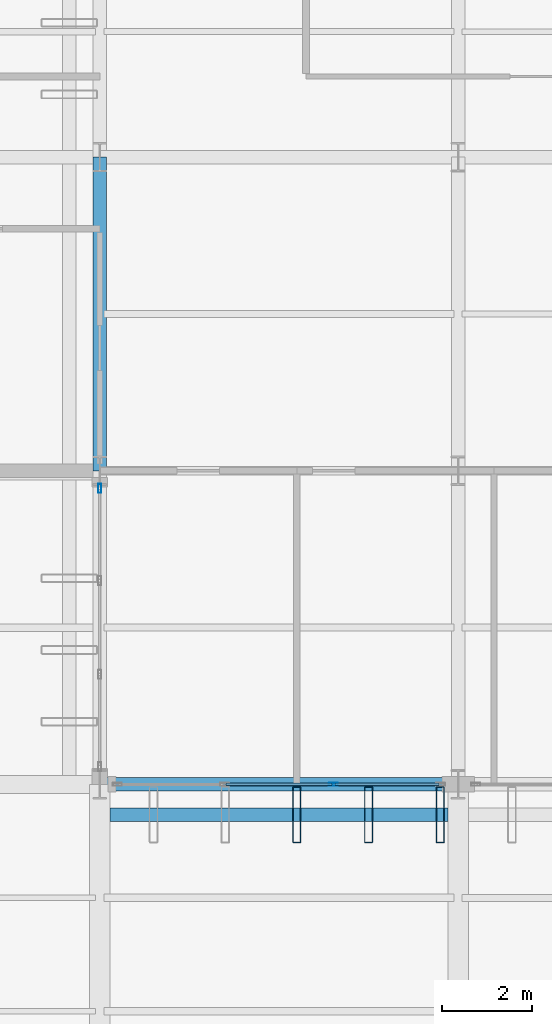
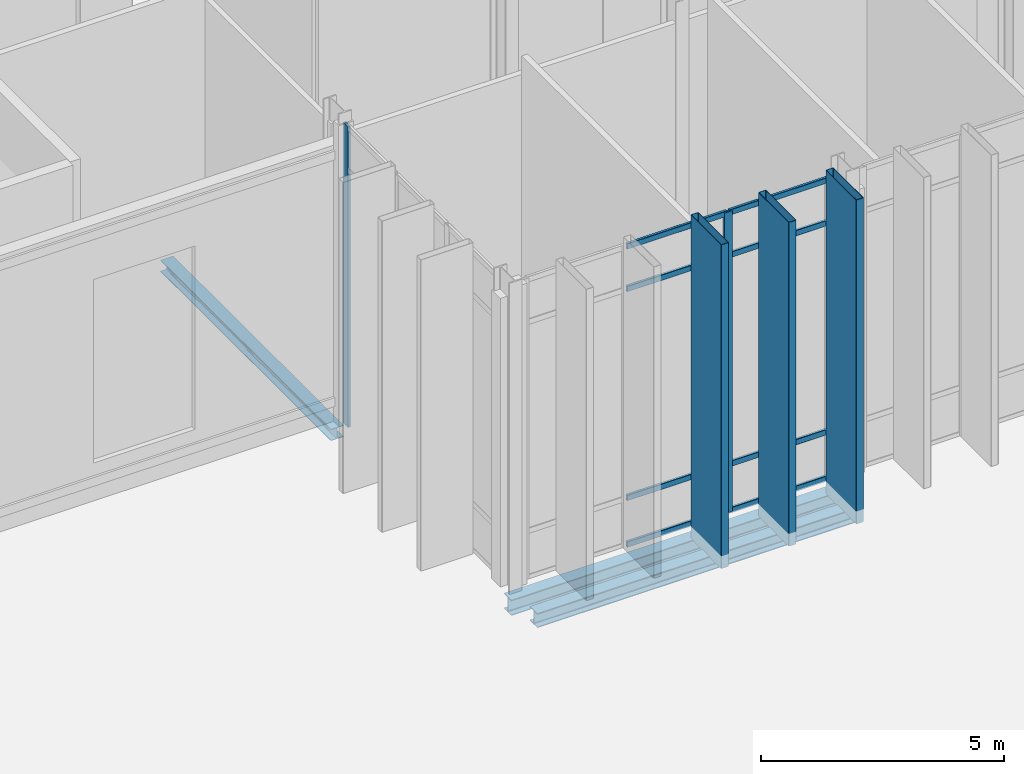
# One storey, part 41 of 176: 13 members, 3 beams, 2 elements without a shape of their own.
"""IFC4 building model written with IfcOpenShell, lengths in metres."""

from ifc_helpers import new_model, si_unit, direction, frame, origin, origin_2d, place, context, subcontext, project, spatial, hollow_rectangle, i_section, extrude, material, layer, layer_set, material_profile, profile_set, type_object, element, aggregate, save


model = new_model("IFC4")

# Units and contexts
model_context = context("Model", 3, precision=1e-05, world=origin(), true_north=direction((0.0, 1.0)))
body_context = subcontext(model_context, "Body", "Model", "MODEL_VIEW")
ifc_project = project(units=[si_unit("LENGTHUNIT", "METRE"), si_unit("AREAUNIT", "SQUARE_METRE"), si_unit("VOLUMEUNIT", "CUBIC_METRE"), si_unit("PLANEANGLEUNIT", "RADIAN"), si_unit("MASSUNIT", "GRAM", prefix="KILO")], contexts=[model_context])

# Site, building, storey
site_placement = place(None, origin())
site = spatial("IfcSite", under=ifc_project, at=site_placement, CompositionType="ELEMENT")
building_placement = place(site_placement, origin())
building = spatial("IfcBuilding", under=site, at=building_placement, Name="Vekula Escarpment Museum", CompositionType="ELEMENT")
storey_placement = place(building_placement, origin())
storey = spatial("IfcBuildingStorey", under=building, at=storey_placement, Name="L01", CompositionType="ELEMENT", Elevation=0.0)

# Beams
ifc_material_1 = material(Name="Steel S355", Category="steel")
ifc_material_profile_1 = material_profile(ifc_material_1, i_section(OverallWidth=0.300048828125, OverallDepth=0.360107421875, WebThickness=0.012451171875, FlangeThickness=0.0224609375, FilletRadius=0.027099609375, at=origin_2d()), Name="HEB 360")
ifc_profile_set_1 = profile_set([ifc_material_profile_1], Name="Steel S355")
beam_type_1 = type_object("IfcBeamType", Name="BM-GIRD-HEB360", PredefinedType="BEAM", material=ifc_profile_set_1)
beam_1_placement = place(storey_placement, frame((70.22509765625, 44.919921875, -0.47998046875), z_axis=(1.0, 0.0, 0.0), x_axis=(0.0, 1.0, 0.0)))
element("IfcBeam", 1, at=beam_1_placement, inside=storey, type_object=beam_type_1, Name="Solar Fin Sill Girder 001", PredefinedType="BEAM", context=body_context, shape_type="SweptSolid", body=[
    extrude(i_section(OverallWidth=0.300048828125, OverallDepth=0.360107421875, WebThickness=0.012451171875, FlangeThickness=0.0224609375, FilletRadius=0.027099609375, at=origin_2d()), origin(), (0.0, 0.0, 1.0), 7.5498046875),
])
ifc_material_2 = material(Name="Steel S355", Category="steel")
ifc_material_profile_2 = material_profile(ifc_material_2, i_section(OverallWidth=0.300048828125, OverallDepth=0.2900390625, WebThickness=0.008544921875, FlangeThickness=0.013916015625, FilletRadius=0.027099609375, at=origin_2d()), Name="HEA 300")
ifc_profile_set_2 = profile_set([ifc_material_profile_2], Name="Steel S355")
beam_type_2 = type_object("IfcBeamType", Name="BM-SPAN-HEA300", PredefinedType="SPANDREL", material=ifc_profile_set_2)
beam_2_placement = place(storey_placement, frame((70.0, 52.60009765625, -0.445068359375), z_axis=(0.0, 1.0, 0.0), x_axis=(-1.0, 0.0, 0.0)))
element("IfcBeam", 2, at=beam_2_placement, inside=storey, type_object=beam_type_2, Name="Beam Y L01 0541", PredefinedType="SPANDREL", context=body_context, shape_type="SweptSolid", body=[
    extrude(i_section(OverallWidth=0.300048828125, OverallDepth=0.2900390625, WebThickness=0.008544921875, FlangeThickness=0.013916015625, FilletRadius=0.027099609375, at=origin_2d()), origin(), (0.0, 0.0, 1.0), 7.0),
])
ifc_material_3 = material(Name="Steel S355", Category="steel")
ifc_material_profile_3 = material_profile(ifc_material_3, i_section(OverallWidth=0.300048828125, OverallDepth=0.389892578125, WebThickness=0.010986328125, FlangeThickness=0.01904296875, FilletRadius=0.027099609375, at=origin_2d()), Name="HEA 400")
ifc_profile_set_3 = profile_set([ifc_material_profile_3], Name="Steel S355")
beam_type_3 = type_object("IfcBeamType", Name="BM-SPAN-HEA400", PredefinedType="SPANDREL", material=ifc_profile_set_3)
beam_3_placement = place(storey_placement, frame((70.0, 45.60009765625, -0.4951171875), z_axis=(1.0, 0.0, 0.0), x_axis=(0.0, 1.0, 0.0)))
element("IfcBeam", 3, at=beam_3_placement, inside=storey, type_object=beam_type_3, Name="Beam X L01 0125", PredefinedType="SPANDREL", context=body_context, shape_type="SweptSolid", body=[
    extrude(i_section(OverallWidth=0.300048828125, OverallDepth=0.389892578125, WebThickness=0.010986328125, FlangeThickness=0.01904296875, FilletRadius=0.027099609375, at=origin_2d()), origin(), (0.0, 0.0, 1.0), 8.0),
])

# Curtain wall, member
ifc_material_4 = material(Name="Aluminium thermally broken framing", Category="aluminium")
ifc_layer_1 = layer(ifc_material_4, 0.199951171875)
ifc_layer_set_1 = layer_set([ifc_layer_1], Name="Aluminium thermally broken framing")
curtain_wall_type_1 = type_object("IfcCurtainWallType", Name="CW-SYS-03", PredefinedType="NOTDEFINED", material=ifc_layer_set_1)
curtain_wall_1_placement = place(storey_placement, origin())
curtain_wall_1 = element("IfcCurtainWall", 4, at=curtain_wall_1_placement, inside=storey, type_object=curtain_wall_type_1, Name="Curtain Wall CW-L01-043", PredefinedType="NOTDEFINED")
ifc_material_5 = material(Name="Aluminium anodized mullion", Category="aluminium")
ifc_material_profile_4 = material_profile(ifc_material_5, hollow_rectangle(XDim=0.06494140625, YDim=0.199951171875, WallThickness=0.00390625, InnerFilletRadius=0.00390625, OuterFilletRadius=0.008056640625, at=origin_2d()), Name="ALU 200x65x4")
ifc_profile_set_4 = profile_set([ifc_material_profile_4], Name="Aluminium anodized mullion")
member_type_1 = type_object("IfcMemberType", Name="CW-MUL-200", PredefinedType="MULLION", material=ifc_profile_set_4)
member_1_placement = place(storey_placement, frame((70.0, 52.20751953125, 0.0), z_axis=(0.0, 0.0, 1.0), x_axis=(1.0, 0.0, 0.0)))
member_1 = element("IfcMember", 5, at=member_1_placement, type_object=member_type_1, Name="CW-03 mullion 1", PredefinedType="MULLION", context=body_context, shape_type="SweptSolid", body=[
    extrude(hollow_rectangle(XDim=0.06494140625, YDim=0.199951171875, WallThickness=0.00390625, InnerFilletRadius=0.00390625, OuterFilletRadius=0.008056640625, at=origin_2d()), origin(), (0.0, 0.0, 1.0), 7.5400390625),
])
aggregate(curtain_wall_1, [member_1])

# Curtain wall, members
ifc_material_6 = material(Name="Aluminium thermally broken framing", Category="aluminium")
ifc_layer_2 = layer(ifc_material_6, 0.199951171875)
ifc_layer_set_2 = layer_set([ifc_layer_2], Name="Aluminium thermally broken framing")
curtain_wall_type_2 = type_object("IfcCurtainWallType", Name="CW-SYS-04", PredefinedType="NOTDEFINED", material=ifc_layer_set_2)
curtain_wall_2_placement = place(storey_placement, origin())
curtain_wall_2 = element("IfcCurtainWall", 6, at=curtain_wall_2_placement, inside=storey, type_object=curtain_wall_type_2, Name="Curtain Wall CW-L01-044", PredefinedType="NOTDEFINED")
member_2_placement = place(storey_placement, frame((75.21337890625, 45.60009765625, 0.0), z_axis=(0.0, 0.0, 1.0), x_axis=(0.0, 1.0, 0.0)))
member_2 = element("IfcMember", 7, at=member_2_placement, type_object=member_type_1, Name="CW-04 mullion 3", PredefinedType="MULLION", context=body_context, shape_type="SweptSolid", body=[
    extrude(hollow_rectangle(XDim=0.06494140625, YDim=0.199951171875, WallThickness=0.00390625, InnerFilletRadius=0.00390625, OuterFilletRadius=0.008056640625, at=origin_2d()), origin(), (0.0, 0.0, 1.0), 7.5400390625),
])
ifc_material_7 = material(Name="Aluminium anodized transom", Category="aluminium")
ifc_material_profile_5 = material_profile(ifc_material_7, hollow_rectangle(XDim=0.06494140625, YDim=0.139892578125, WallThickness=0.00390625, InnerFilletRadius=0.00390625, OuterFilletRadius=0.008056640625, at=origin_2d()), Name="ALU 140x65x4")
ifc_profile_set_5 = profile_set([ifc_material_profile_5], Name="Aluminium anodized transom")
member_type_2 = type_object("IfcMemberType", Name="CW-TRN-140", PredefinedType="USERDEFINED", material=ifc_profile_set_5)
member_3_placement = place(storey_placement, frame((72.819091796875, 45.60009765625, 0.032470703125), z_axis=(1.0, 0.0, 0.0), x_axis=(0.0, 1.0, 0.0)))
member_3 = element("IfcMember", 8, at=member_3_placement, type_object=member_type_2, Name="CW-04 transom 2.1", ObjectType="TRANSOM", PredefinedType="USERDEFINED", context=body_context, shape_type="SweptSolid", body=[
    extrude(hollow_rectangle(XDim=0.06494140625, YDim=0.139892578125, WallThickness=0.00390625, InnerFilletRadius=0.00390625, OuterFilletRadius=0.008056640625, at=origin_2d()), origin(), (0.0, 0.0, 1.0), 2.36181640625),
])
member_4_placement = place(storey_placement, frame((72.819091796875, 45.60009765625, 1.199951171875), z_axis=(1.0, 0.0, 0.0), x_axis=(0.0, 1.0, 0.0)))
member_4 = element("IfcMember", 9, at=member_4_placement, type_object=member_type_2, Name="CW-04 transom 2.2", ObjectType="TRANSOM", PredefinedType="USERDEFINED", context=body_context, shape_type="SweptSolid", body=[
    extrude(hollow_rectangle(XDim=0.06494140625, YDim=0.139892578125, WallThickness=0.00390625, InnerFilletRadius=0.00390625, OuterFilletRadius=0.008056640625, at=origin_2d()), origin(), (0.0, 0.0, 1.0), 2.36181640625),
])
member_5_placement = place(storey_placement, frame((72.819091796875, 45.60009765625, 6.43994140625), z_axis=(1.0, 0.0, 0.0), x_axis=(0.0, 1.0, 0.0)))
member_5 = element("IfcMember", 10, at=member_5_placement, type_object=member_type_2, Name="CW-04 transom 2.3", ObjectType="TRANSOM", PredefinedType="USERDEFINED", context=body_context, shape_type="SweptSolid", body=[
    extrude(hollow_rectangle(XDim=0.06494140625, YDim=0.139892578125, WallThickness=0.00390625, InnerFilletRadius=0.00390625, OuterFilletRadius=0.008056640625, at=origin_2d()), origin(), (0.0, 0.0, 1.0), 2.36181640625),
])
member_6_placement = place(storey_placement, frame((72.819091796875, 45.60009765625, 7.507568359375), z_axis=(1.0, 0.0, 0.0), x_axis=(0.0, 1.0, 0.0)))
member_6 = element("IfcMember", 11, at=member_6_placement, type_object=member_type_2, Name="CW-04 transom 2.4", ObjectType="TRANSOM", PredefinedType="USERDEFINED", context=body_context, shape_type="SweptSolid", body=[
    extrude(hollow_rectangle(XDim=0.06494140625, YDim=0.139892578125, WallThickness=0.00390625, InnerFilletRadius=0.00390625, OuterFilletRadius=0.008056640625, at=origin_2d()), origin(), (0.0, 0.0, 1.0), 2.36181640625),
])
member_7_placement = place(storey_placement, frame((75.245849609375, 45.60009765625, 0.032470703125), z_axis=(1.0, 0.0, 0.0), x_axis=(0.0, 1.0, 0.0)))
member_7 = element("IfcMember", 12, at=member_7_placement, type_object=member_type_2, Name="CW-04 transom 3.1", ObjectType="TRANSOM", PredefinedType="USERDEFINED", context=body_context, shape_type="SweptSolid", body=[
    extrude(hollow_rectangle(XDim=0.06494140625, YDim=0.139892578125, WallThickness=0.00390625, InnerFilletRadius=0.00390625, OuterFilletRadius=0.008056640625, at=origin_2d()), origin(), (0.0, 0.0, 1.0), 2.3291015625),
])
member_8_placement = place(storey_placement, frame((75.245849609375, 45.60009765625, 1.199951171875), z_axis=(1.0, 0.0, 0.0), x_axis=(0.0, 1.0, 0.0)))
member_8 = element("IfcMember", 13, at=member_8_placement, type_object=member_type_2, Name="CW-04 transom 3.2", ObjectType="TRANSOM", PredefinedType="USERDEFINED", context=body_context, shape_type="SweptSolid", body=[
    extrude(hollow_rectangle(XDim=0.06494140625, YDim=0.139892578125, WallThickness=0.00390625, InnerFilletRadius=0.00390625, OuterFilletRadius=0.008056640625, at=origin_2d()), origin(), (0.0, 0.0, 1.0), 2.3291015625),
])
member_9_placement = place(storey_placement, frame((75.245849609375, 45.60009765625, 6.43994140625), z_axis=(1.0, 0.0, 0.0), x_axis=(0.0, 1.0, 0.0)))
member_9 = element("IfcMember", 14, at=member_9_placement, type_object=member_type_2, Name="CW-04 transom 3.3", ObjectType="TRANSOM", PredefinedType="USERDEFINED", context=body_context, shape_type="SweptSolid", body=[
    extrude(hollow_rectangle(XDim=0.06494140625, YDim=0.139892578125, WallThickness=0.00390625, InnerFilletRadius=0.00390625, OuterFilletRadius=0.008056640625, at=origin_2d()), origin(), (0.0, 0.0, 1.0), 2.3291015625),
])
member_10_placement = place(storey_placement, frame((75.245849609375, 45.60009765625, 7.507568359375), z_axis=(1.0, 0.0, 0.0), x_axis=(0.0, 1.0, 0.0)))
member_10 = element("IfcMember", 15, at=member_10_placement, type_object=member_type_2, Name="CW-04 transom 3.4", ObjectType="TRANSOM", PredefinedType="USERDEFINED", context=body_context, shape_type="SweptSolid", body=[
    extrude(hollow_rectangle(XDim=0.06494140625, YDim=0.139892578125, WallThickness=0.00390625, InnerFilletRadius=0.00390625, OuterFilletRadius=0.008056640625, at=origin_2d()), origin(), (0.0, 0.0, 1.0), 2.3291015625),
])
aggregate(curtain_wall_2, [member_2, member_3, member_4, member_5, member_6, member_7, member_8, member_9, member_10])

# Members
ifc_material_8 = material(Name="Steel S355 weathered bronze solar fin", Category="steel")
ifc_material_profile_6 = material_profile(ifc_material_8, hollow_rectangle(XDim=0.179931640625, YDim=1.25, WallThickness=0.010009765625, InnerFilletRadius=0.010009765625, OuterFilletRadius=0.02001953125, at=origin_2d()), Name="RHS 1250x180x10")
ifc_profile_set_6 = profile_set([ifc_material_profile_6], Name="Steel S355 weathered bronze solar fin")
member_type_3 = type_object("IfcMemberType", Name="MB-SOLAR-FIN", PredefinedType="USERDEFINED", material=ifc_profile_set_6)
for number, where, z_axis, x_axis, name in (
    (16, (74.39990234375, 44.919921875, -0.320068359375), (0.0, 0.0, 1.0), (1.0, 0.0, 0.0), "Great Hall Vertical Solar Fin 0011"),
    (17, (76.0, 44.919921875, -0.320068359375), (0.0, 0.0, 1.0), (1.0, 0.0, 0.0), "Great Hall Vertical Solar Fin 0016"),
    (18, (77.60009765625, 44.919921875, -0.320068359375), (0.0, 0.0, 1.0), (1.0, 0.0, 0.0), "Great Hall Vertical Solar Fin 0021"),
):
    element("IfcMember", number, at=place(storey_placement, frame(where, z_axis=z_axis, x_axis=x_axis)), inside=storey, type_object=member_type_3, Name=name, ObjectType="SOLAR FIN", PredefinedType="USERDEFINED", context=body_context, shape_type="SweptSolid", body=[
        extrude(hollow_rectangle(XDim=0.179931640625, YDim=1.25, WallThickness=0.010009765625, InnerFilletRadius=0.010009765625, OuterFilletRadius=0.02001953125, at=origin_2d()), origin(), (0.0, 0.0, 1.0), 8.1201171875),
    ])

save(model, "model.ifc")
